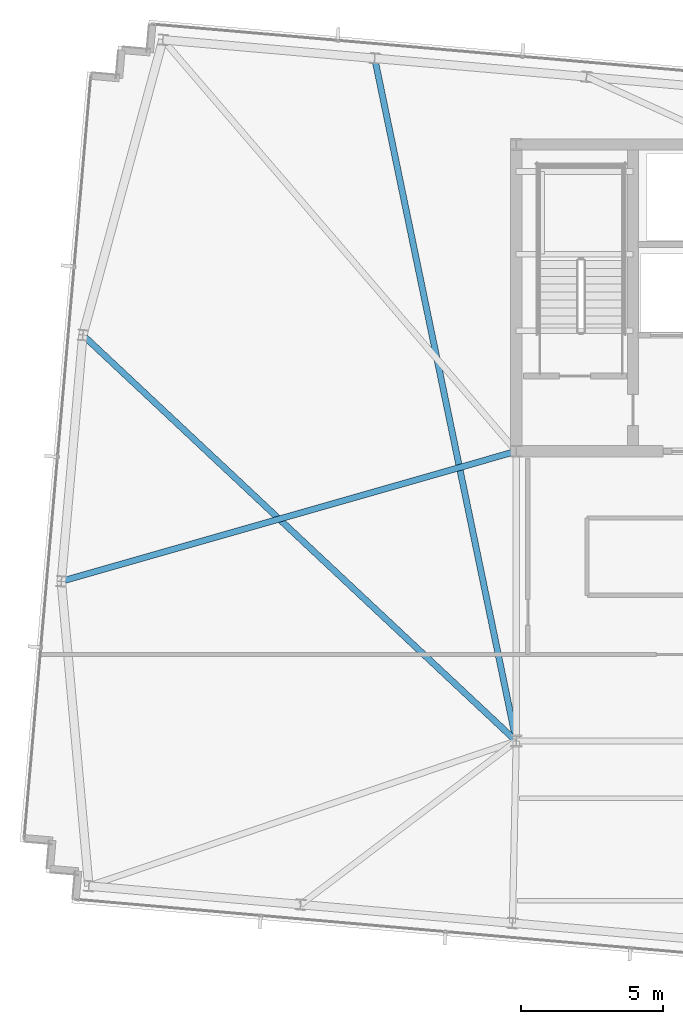
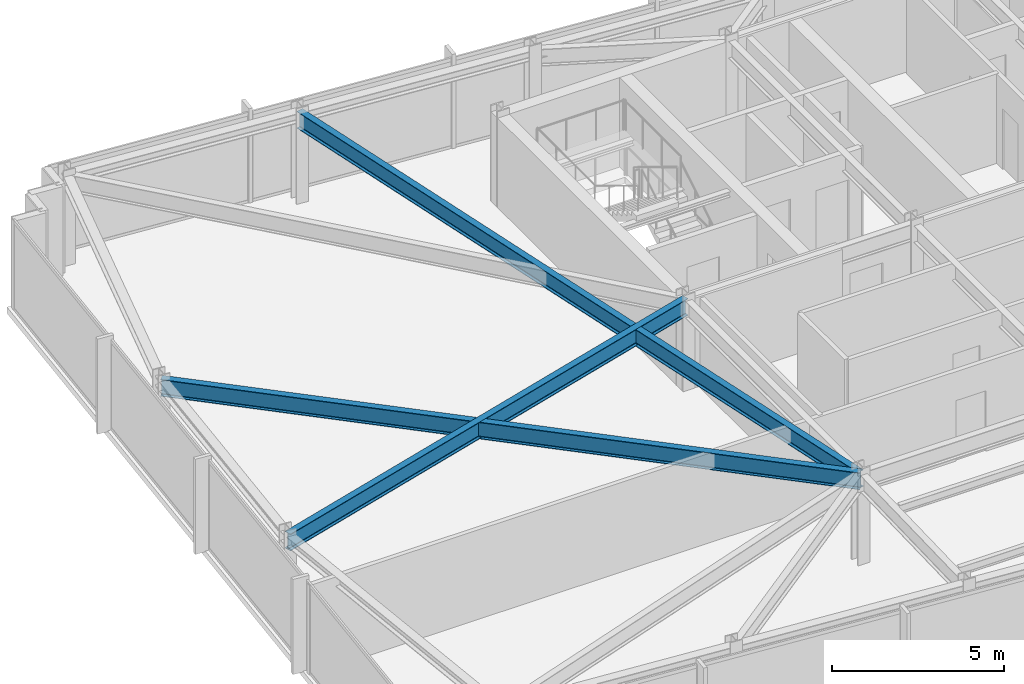
# One storey, part 10 of 32: 3 beams.
"""IFC4 building model written with IfcOpenShell, lengths in metres."""

import ifcopenshell
import ifcopenshell.guid

model = None  # the IFC model being written
_history = None  # IfcOwnerHistory: only IFC2X3 demands one
_inside = {}  # id of a spatial element -> (the spatial element, [elements in it])
_under = {}  # id of a project, library or spatial element -> (it, [spatial elements below it])
_declared = {}  # id of a project -> (the project, [libraries it declares])
_typed = {}  # id of a type object -> (the type object, [elements of that type])
_made_of = {}  # id of a material, layer set ... -> (it, [elements and type objects made of it])


def new_model(schema):
    """Start an empty IFC model of exactly this schema.

    Asked for "IFC4X3", IfcOpenShell would pick the latest addendum, in which some entities
    have other attributes; the version numbers below select the first issue.
    IFC2X3 requires an IfcOwnerHistory on every rooted entity: one is made here for all.
    """
    global model, _history
    if schema == "IFC4X3":
        model = ifcopenshell.file(schema_version=(4, 3, 0, 0))
    else:
        model = ifcopenshell.file(schema=schema)
    _inside.clear()
    _under.clear()
    _declared.clear()
    _typed.clear()
    _made_of.clear()
    _history = None
    if model.schema == "IFC2X3":
        org = make("IfcOrganization", Name="unknown")
        user = make(
            "IfcPersonAndOrganization",
            ThePerson=make("IfcPerson", FamilyName="unknown"),
            TheOrganization=org,
        )
        app = make(
            "IfcApplication",
            ApplicationDeveloper=org,
            Version="unknown",
            ApplicationFullName="unknown",
            ApplicationIdentifier="unknown",
        )
        _history = make(
            "IfcOwnerHistory",
            OwningUser=user,
            OwningApplication=app,
            ChangeAction="ADDED",
            CreationDate=0,
        )
    return model


def make(cls, **values):
    """One entity of the class cls with the attributes given. An attribute that is None is left unset."""
    return model.create_entity(
        cls, **{name: value for name, value in values.items() if value is not None}
    )


def rooted(cls, **values):
    """An entity with a GlobalId (a new one), such as an element, a storey or a relation."""
    return make(cls, GlobalId=ifcopenshell.guid.new(), OwnerHistory=_history, **values)


def si_unit(unit_type, name, prefix=None):
    """IfcSIUnit, for example si_unit("LENGTHUNIT", "METRE", prefix="MILLI")."""
    return make("IfcSIUnit", UnitType=unit_type, Prefix=prefix, Name=name)


def assignment(units):
    """IfcUnitAssignment: the units of a project."""
    return None if units is None else make("IfcUnitAssignment", Units=units)


def point(xyz):
    """IfcCartesianPoint."""
    return None if xyz is None else make("IfcCartesianPoint", Coordinates=xyz)


def direction(xyz):
    """IfcDirection."""
    return None if xyz is None else make("IfcDirection", DirectionRatios=xyz)


def frame(location, z_axis=None, x_axis=None):
    """IfcAxis2Placement3D, a coordinate frame: its origin and axes. An axis left out is left unset."""
    return make(
        "IfcAxis2Placement3D",
        Location=point(location),
        Axis=direction(z_axis),
        RefDirection=direction(x_axis),
    )


def frame_2d(location, x_axis=None):
    """IfcAxis2Placement2D, a coordinate frame in the plane: its origin and x axis."""
    return make(
        "IfcAxis2Placement2D", Location=point(location), RefDirection=direction(x_axis)
    )


def origin():
    """The frame at (0, 0, 0) with its axes left unset."""
    return frame((0.0, 0.0, 0.0))


def origin_2d():
    """The frame at (0, 0) in the plane with its x axis left unset."""
    return frame_2d((0.0, 0.0))


def place(relative_to, where):
    """IfcLocalPlacement: puts the frame where relative to a parent placement (None: the world)."""
    return make(
        "IfcLocalPlacement", PlacementRelTo=relative_to, RelativePlacement=where
    )


def context(
    kind, dimensions, precision=None, world=None, true_north=None, identifier=None
):
    """IfcGeometricRepresentationContext, for example the 3D "Model" context."""
    return make(
        "IfcGeometricRepresentationContext",
        ContextIdentifier=identifier,
        ContextType=kind,
        CoordinateSpaceDimension=dimensions,
        Precision=precision,
        WorldCoordinateSystem=world,
        TrueNorth=true_north,
    )


def subcontext(parent, identifier, kind, view, scale=None):
    """IfcGeometricRepresentationSubContext, for example "Body" below "Model"."""
    return make(
        "IfcGeometricRepresentationSubContext",
        ContextIdentifier=identifier,
        ContextType=kind,
        ParentContext=parent,
        TargetScale=scale,
        TargetView=view,
    )


def project(units=None, contexts=None):
    """IfcProject with its units and contexts."""
    return rooted(
        "IfcProject",
        Name="project",
        RepresentationContexts=contexts,
        UnitsInContext=assignment(units),
    )


def spatial(cls, under=None, at=None, **own):
    """A site, building, storey or space (cls), placed at a placement, below another one or the project."""
    s = rooted(cls, ObjectPlacement=at, **own)
    if under is not None:
        _under.setdefault(under.id(), (under, []))[1].append(s)
    return s


def profile(cls, at=None, kind="AREA", **sizes):
    """A parametric profile (cls). Its sizes go by their IFC names, for example OverallWidth=200.0."""
    return make(cls, ProfileType=kind, Position=at, **sizes)


def i_section(**sizes):
    """IfcIShapeProfileDef."""
    return profile("IfcIShapeProfileDef", **sizes)


def extrude(swept, where, along, depth):
    """IfcExtrudedAreaSolid: the profile swept, set in the frame where, extruded along a direction by depth."""
    return make(
        "IfcExtrudedAreaSolid",
        SweptArea=swept,
        Position=where,
        ExtrudedDirection=direction(along),
        Depth=depth,
    )


def shape(context_of_items, identifier, shape_type, items):
    """IfcShapeRepresentation: the items that make up one representation, for example the "Body"."""
    return make(
        "IfcShapeRepresentation",
        ContextOfItems=context_of_items,
        RepresentationIdentifier=identifier,
        RepresentationType=shape_type,
        Items=items,
    )


def material(Name=None, Category=None):
    """IfcMaterial."""
    return make("IfcMaterial", Name=Name, Category=Category)


def material_profile(
    of_material, cross_section, Name=None, Category=None, Priority=None
):
    """IfcMaterialProfile: a cross section and its material."""
    return make(
        "IfcMaterialProfile",
        Name=Name,
        Material=of_material,
        Profile=cross_section,
        Priority=Priority,
        Category=Category,
    )


def profile_set(profiles, Name=None, composite=None):
    """IfcMaterialProfileSet."""
    return make(
        "IfcMaterialProfileSet",
        Name=Name,
        MaterialProfiles=profiles,
        CompositeProfile=composite,
    )


def made_of(thing, what):
    """Note that an element or type object is made of a material, layer set ...; save() writes the relation."""
    if what is not None:
        _made_of.setdefault(what.id(), (what, []))[1].append(thing)
    return thing


def type_object(cls, material=None, **own):
    """A type object (cls), such as IfcWallType, which elements share."""
    return made_of(rooted(cls, **own), material)


def element(
    cls,
    number,
    at=None,
    inside=None,
    cuts=None,
    type_object=None,
    material=None,
    context=None,
    identifier="Body",
    shape_type=None,
    held_by="IfcProductDefinitionShape",
    body=None,
    shapes=None,
    **own,
):
    """One element of the class cls, such as IfcWall. Its Tag is "e" and its number.

    at: its placement. inside: the storey or other place that contains it. cuts: it is an
    opening in that element (IfcRelVoidsElement). A single representation is given by context,
    identifier, shape_type and body (its items); several are given by shapes. held_by: the class
    of the entity that holds the representations. save() writes the other relations.
    """
    e = rooted(cls, Tag="e%d" % number, ObjectPlacement=at, **own)
    if body is not None:
        shapes = [shape(context, identifier, shape_type, body)]
    if shapes is not None:
        e.Representation = make(held_by, Representations=shapes)
    if inside is not None:
        _inside.setdefault(inside.id(), (inside, []))[1].append(e)
    if cuts is not None:
        rooted(
            "IfcRelVoidsElement", RelatingBuildingElement=cuts, RelatedOpeningElement=e
        )
    if type_object is not None:
        _typed.setdefault(type_object.id(), (type_object, []))[1].append(e)
    return made_of(e, material)


def aggregate(whole, parts):
    """IfcRelAggregates: a whole, such as a stair, and the parts it consists of."""
    return rooted("IfcRelAggregates", RelatingObject=whole, RelatedObjects=parts)


def save(model, path):
    """Write the relations noted so far, then the file.

    IfcRelAggregates (storeys below a building ...), IfcRelContainedInSpatialStructure (elements
    in a storey), IfcRelDefinesByType, IfcRelAssociatesMaterial and IfcRelDeclares: one each for
    every whole, place, type object, material and project.
    """
    for whole, parts in _under.values():
        aggregate(whole, parts)
    for where, things in _inside.values():
        rooted(
            "IfcRelContainedInSpatialStructure",
            RelatedElements=things,
            RelatingStructure=where,
        )
    for kind, things in _typed.values():
        rooted("IfcRelDefinesByType", RelatedObjects=things, RelatingType=kind)
    for what, things in _made_of.values():
        rooted("IfcRelAssociatesMaterial", RelatedObjects=things, RelatingMaterial=what)
    for by, libraries in _declared.values():
        rooted("IfcRelDeclares", RelatingContext=by, RelatedDefinitions=libraries)
    model.write(path)


model = new_model("IFC4")

# Units and contexts
model_context = context("Model", 3, precision=1e-05, world=origin(), true_north=direction((0.0, 1.0)))
body_context = subcontext(model_context, "Body", "Model", "MODEL_VIEW")
ifc_project = project(units=[si_unit("LENGTHUNIT", "METRE"), si_unit("AREAUNIT", "SQUARE_METRE"), si_unit("VOLUMEUNIT", "CUBIC_METRE"), si_unit("PLANEANGLEUNIT", "RADIAN"), si_unit("MASSUNIT", "GRAM", prefix="KILO")], contexts=[model_context])

# Site, building, storey
site_placement = place(None, origin())
site = spatial("IfcSite", under=ifc_project, at=site_placement, CompositionType="ELEMENT")
building_placement = place(site_placement, origin())
building = spatial("IfcBuilding", under=site, at=building_placement, Name="Yelkora Congress Tower", CompositionType="ELEMENT")
storey_placement = place(building_placement, frame((0.0, 0.0, 272.699951171875)))
storey = spatial("IfcBuildingStorey", under=building, at=storey_placement, Name="L76", CompositionType="ELEMENT", Elevation=272.699951171875)

# Beams
ifc_material = material(Name="Steel S355J2", Category="steel")
ifc_material_profile = material_profile(ifc_material, i_section(OverallWidth=0.219970703125, OverallDepth=0.60009765625, WebThickness=0.011962890625, FlangeThickness=0.01904296875, FilletRadius=0.02392578125, at=origin_2d()), Name="IPE 600")
ifc_profile_set = profile_set([ifc_material_profile], Name="Steel S355J2")
beam_type = type_object("IfcBeamType", Name="BM-GIRD-IPE600", PredefinedType="BEAM", material=ifc_profile_set)
beam_1_placement = place(storey_placement, frame((18.058837890625, 49.231689453125, 2.880126953125), z_axis=(0.202961834344, -0.979186649112, 0.0), x_axis=(0.979186649112, 0.202961834344, 0.0)))
element("IfcBeam", 1, at=beam_1_placement, inside=storey, type_object=beam_type, Name="L76 Primary Frame Girder N02", PredefinedType="BEAM", context=body_context, shape_type="SweptSolid", body=[
    extrude(i_section(OverallWidth=0.219970703125, OverallDepth=0.60009765625, WebThickness=0.011962890625, FlangeThickness=0.01904296875, FilletRadius=0.02392578125, at=origin_2d()), origin(), (0.0, 0.0, 1.0), 24.54248046875),
])
beam_2_placement = place(storey_placement, frame((7.029052734375, 30.822998046875, 2.880126953125), z_axis=(0.961486871307, 0.274850861932, 0.0), x_axis=(-0.274850861932, 0.961486871307, 0.0)))
element("IfcBeam", 2, at=beam_2_placement, inside=storey, type_object=beam_type, Name="L76 Primary Frame Girder W01", PredefinedType="BEAM", context=body_context, shape_type="SweptSolid", body=[
    extrude(i_section(OverallWidth=0.219970703125, OverallDepth=0.60009765625, WebThickness=0.011962890625, FlangeThickness=0.01904296875, FilletRadius=0.02392578125, at=origin_2d()), origin(), (0.0, 0.0, 1.0), 16.65234375),
])
beam_3_placement = place(storey_placement, frame((7.787353515625, 39.489990234375, 2.880126953125), z_axis=(0.729760461145, -0.683702910152, 0.0), x_axis=(0.683702910152, 0.729760461145, 0.0)))
element("IfcBeam", 3, at=beam_3_placement, inside=storey, type_object=beam_type, Name="L76 Primary Frame Girder W02", PredefinedType="BEAM", context=body_context, shape_type="SweptSolid", body=[
    extrude(i_section(OverallWidth=0.219970703125, OverallDepth=0.60009765625, WebThickness=0.011962890625, FlangeThickness=0.01904296875, FilletRadius=0.02392578125, at=origin_2d()), origin(), (0.0, 0.0, 1.0), 20.90087890625),
])

save(model, "model.ifc")
